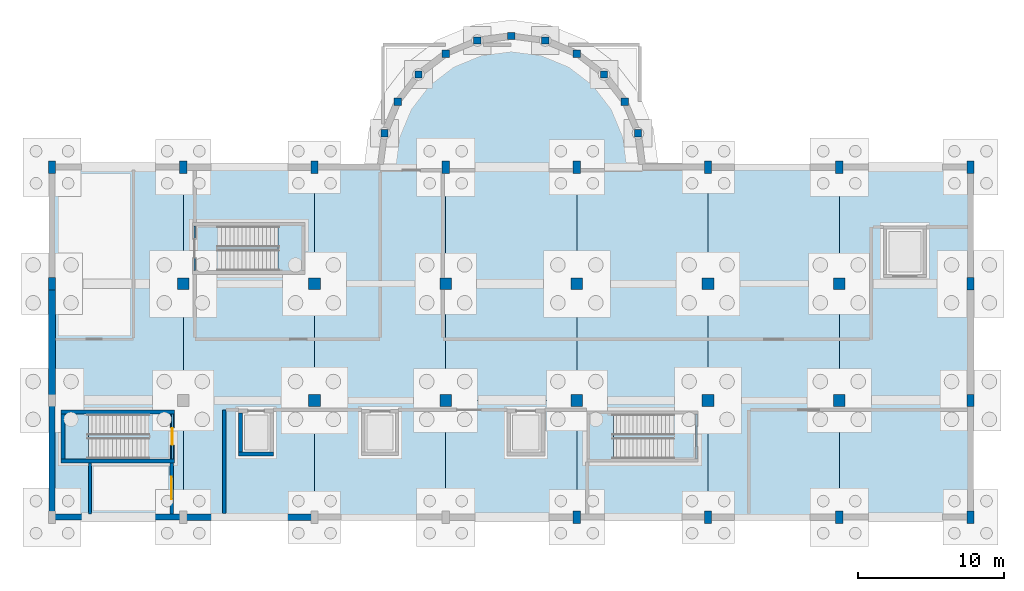
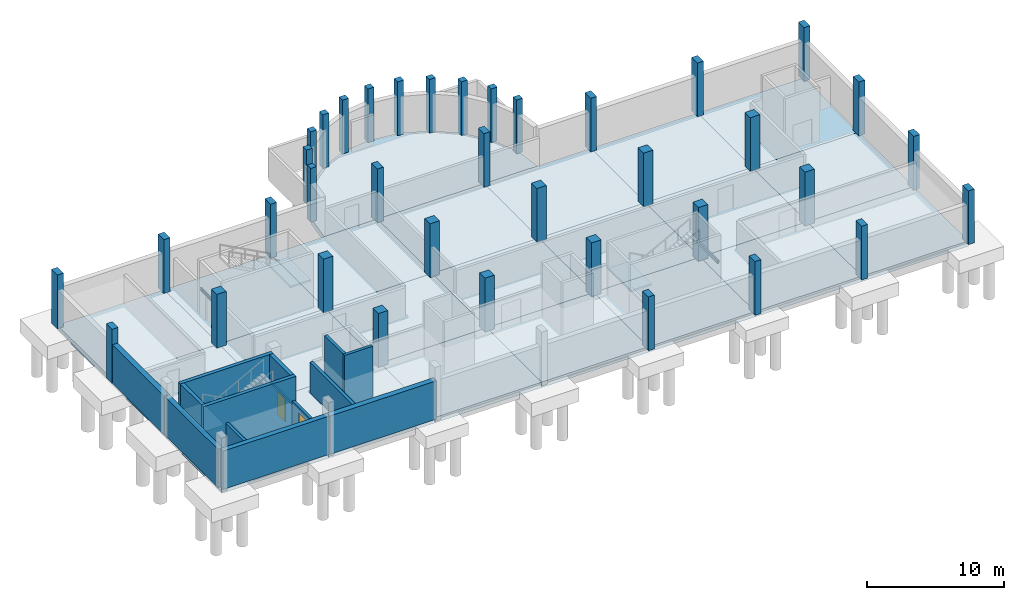
# One storey, part 3 of 10: 37 columns, 25 slabs, 13 walls, 3 beams, 2 doors, 2 openings, 3 elements without a shape of their own.
"""IFC4 building model written with IfcOpenShell, lengths in metres."""

from ifc_helpers import new_model, si_unit, direction, frame, frame_2d, origin, origin_2d, place, context, subcontext, project, spatial, polyline, rectangle, hollow_rectangle, i_section, outline, extrude, material, layer, layer_set, material_profile, profile_set, type_object, element, fill, aggregate, save


model = new_model("IFC4")

# Units and contexts
model_context = context("Model", 3, precision=1e-05, world=origin(), true_north=direction((0.0, 1.0)))
body_context = subcontext(model_context, "Body", "Model", "MODEL_VIEW")
ifc_project = project(units=[si_unit("LENGTHUNIT", "METRE"), si_unit("AREAUNIT", "SQUARE_METRE"), si_unit("VOLUMEUNIT", "CUBIC_METRE"), si_unit("PLANEANGLEUNIT", "RADIAN"), si_unit("MASSUNIT", "GRAM", prefix="KILO")], contexts=[model_context])

# Site, building, storey
site_placement = place(None, origin())
site = spatial("IfcSite", under=ifc_project, at=site_placement, CompositionType="ELEMENT")
building_placement = place(site_placement, origin())
building = spatial("IfcBuilding", under=site, at=building_placement, Name="Serraforn Aerial Cableway Station", CompositionType="ELEMENT")
storey_placement = place(building_placement, frame((0.0, 0.0, -4.800048828125)))
storey = spatial("IfcBuildingStorey", under=building, at=storey_placement, Name="B1", CompositionType="ELEMENT", Elevation=-4.800048828125)

# Columns
ifc_material_1 = material(Name="Concrete C35/45", Category="concrete")
ifc_material_profile_1 = material_profile(ifc_material_1, rectangle(XDim=0.5, YDim=0.5, at=origin_2d()), Name="RC 500x500")
ifc_profile_set_1 = profile_set([ifc_material_profile_1], Name="Concrete C35/45")
column_type_1 = type_object("IfcColumnType", Name="COL-RC-500E", PredefinedType="COLUMN", material=ifc_profile_set_1)
for number, where, z_axis, x_axis, name in (
    (1, (50.40673828125, 44.329345703125, 0.0), (0.0, 0.0, 1.0), (1.0, 0.0, 0.0), "Apse Radial Column B1-1"),
    (2, (51.305908203125, 46.5, 0.0), (0.0, 0.0, 1.0), (1.0, 0.0, 0.0), "Apse Radial Column B1-2"),
    (3, (52.736083984375, 48.364013671875, 0.0), (0.0, 0.0, 1.0), (1.0, 0.0, 0.0), "Apse Radial Column B1-3"),
    (4, (54.60009765625, 49.794189453125, 0.0), (0.0, 0.0, 1.0), (1.0, 0.0, 0.0), "Apse Radial Column B1-4"),
    (5, (56.7705078125, 50.693359375, 0.0), (0.0, 0.0, 1.0), (1.0, 0.0, 0.0), "Apse Radial Column B1-5"),
    (6, (59.10009765625, 51.0, 0.0), (0.0, 0.0, 1.0), (1.0, 0.0, 0.0), "Apse Radial Column B1-6"),
    (7, (61.429443359375, 50.693359375, 0.0), (0.0, 0.0, 1.0), (1.0, 0.0, 0.0), "Apse Radial Column B1-7"),
    (8, (63.60009765625, 49.794189453125, 0.0), (0.0, 0.0, 1.0), (1.0, 0.0, 0.0), "Apse Radial Column B1-8"),
    (9, (65.464111328125, 48.364013671875, 0.0), (0.0, 0.0, 1.0), (1.0, 0.0, 0.0), "Apse Radial Column B1-9"),
    (10, (66.894287109375, 46.5, 0.0), (0.0, 0.0, 1.0), (1.0, 0.0, 0.0), "Apse Radial Column B1-10"),
    (11, (67.793212890625, 44.329345703125, 0.0), (0.0, 0.0, 1.0), (1.0, 0.0, 0.0), "Apse Radial Column B1-11"),
):
    element("IfcColumn", number, at=place(storey_placement, frame(where, z_axis=z_axis, x_axis=x_axis)), inside=storey, type_object=column_type_1, Name=name, PredefinedType="COLUMN", context=body_context, shape_type="SweptSolid", body=[
        extrude(rectangle(XDim=0.5, YDim=0.5, at=origin_2d()), origin(), (0.0, 0.0, 1.0), 4.800048828125),
    ])
ifc_material_2 = material(Name="Concrete C40/50", Category="concrete")
ifc_material_profile_2 = material_profile(ifc_material_2, rectangle(XDim=0.5, YDim=0.85009765625, at=origin_2d()), Name="RC 500x850")
ifc_profile_set_2 = profile_set([ifc_material_profile_2], Name="Concrete C40/50")
column_type_2 = type_object("IfcColumnType", Name="COL-RC-500x850", PredefinedType="COLUMN", material=ifc_profile_set_2)
for number, where, z_axis, x_axis, name in (
    (12, (27.60009765625, 34.0, 0.0), (0.0, 0.0, 1.0), (1.0, 0.0, 0.0), "Column CV B1 5-D2"),
    (13, (27.60009765625, 42.0, 0.0), (0.0, 0.0, 1.0), (1.0, 0.0, 0.0), "Column CV B1 5-F"),
    (14, (36.60009765625, 42.0, 0.0), (0.0, 0.0, 1.0), (1.0, 0.0, 0.0), "Column CV B1 6-F"),
    (15, (45.60009765625, 42.0, 0.0), (0.0, 0.0, 1.0), (1.0, 0.0, 0.0), "Column CV B1 7-F"),
    (16, (54.60009765625, 42.0, 0.0), (0.0, 0.0, 1.0), (1.0, 0.0, 0.0), "Column CV B1 8-F"),
    (17, (63.60009765625, 18.0, 0.0), (0.0, 0.0, 1.0), (1.0, 0.0, 0.0), "Column CV B1 9-C"),
    (18, (63.60009765625, 42.0, 0.0), (0.0, 0.0, 1.0), (1.0, 0.0, 0.0), "Column CV B1 9-F"),
    (19, (72.60009765625, 18.0, 0.0), (0.0, 0.0, 1.0), (1.0, 0.0, 0.0), "Column CV B1 10-C"),
    (20, (72.60009765625, 42.0, 0.0), (0.0, 0.0, 1.0), (1.0, 0.0, 0.0), "Column CV B1 10-F"),
    (21, (81.60009765625, 18.0, 0.0), (0.0, 0.0, 1.0), (1.0, 0.0, 0.0), "Column CV B1 11-C"),
    (22, (81.60009765625, 42.0, 0.0), (0.0, 0.0, 1.0), (1.0, 0.0, 0.0), "Column CV B1 11-F"),
    (23, (90.60009765625, 18.0, 0.0), (0.0, 0.0, 1.0), (1.0, 0.0, 0.0), "Column CV B1 12-C"),
    (24, (90.60009765625, 26.0, 0.0), (0.0, 0.0, 1.0), (1.0, 0.0, 0.0), "Column CV B1 12-D1"),
    (25, (90.60009765625, 34.0, 0.0), (0.0, 0.0, 1.0), (1.0, 0.0, 0.0), "Column CV B1 12-D2"),
    (26, (90.60009765625, 42.0, 0.0), (0.0, 0.0, 1.0), (1.0, 0.0, 0.0), "Column CV B1 12-F"),
):
    element("IfcColumn", number, at=place(storey_placement, frame(where, z_axis=z_axis, x_axis=x_axis)), inside=storey, type_object=column_type_2, Name=name, PredefinedType="COLUMN", context=body_context, shape_type="SweptSolid", body=[
        extrude(rectangle(XDim=0.5, YDim=0.85009765625, at=origin_2d()), origin(), (0.0, 0.0, 1.0), 4.800048828125),
    ])
ifc_material_profile_3 = material_profile(ifc_material_2, rectangle(XDim=0.800048828125, YDim=0.800048828125, at=origin_2d()), Name="RC 800x800")
ifc_profile_set_3 = profile_set([ifc_material_profile_3], Name="Concrete C40/50")
column_type_3 = type_object("IfcColumnType", Name="COL-RC-800", PredefinedType="COLUMN", material=ifc_profile_set_3)
for number, where, z_axis, x_axis, name in (
    (27, (36.60009765625, 34.0, 0.0), (0.0, 0.0, 1.0), (1.0, 0.0, 0.0), "Column CV B1 6-D2"),
    (28, (45.60009765625, 26.0, 0.0), (0.0, 0.0, 1.0), (1.0, 0.0, 0.0), "Column CV B1 7-D1"),
    (29, (45.60009765625, 34.0, 0.0), (0.0, 0.0, 1.0), (1.0, 0.0, 0.0), "Column CV B1 7-D2"),
    (30, (54.60009765625, 26.0, 0.0), (0.0, 0.0, 1.0), (1.0, 0.0, 0.0), "Column CV B1 8-D1"),
    (31, (54.60009765625, 34.0, 0.0), (0.0, 0.0, 1.0), (1.0, 0.0, 0.0), "Column CV B1 8-D2"),
    (32, (63.60009765625, 26.0, 0.0), (0.0, 0.0, 1.0), (1.0, 0.0, 0.0), "Column CV B1 9-D1"),
    (33, (63.60009765625, 34.0, 0.0), (0.0, 0.0, 1.0), (1.0, 0.0, 0.0), "Column CV B1 9-D2"),
    (34, (72.60009765625, 26.0, 0.0), (0.0, 0.0, 1.0), (1.0, 0.0, 0.0), "Column CV B1 10-D1"),
    (35, (72.60009765625, 34.0, 0.0), (0.0, 0.0, 1.0), (1.0, 0.0, 0.0), "Column CV B1 10-D2"),
    (36, (81.60009765625, 26.0, 0.0), (0.0, 0.0, 1.0), (1.0, 0.0, 0.0), "Column CV B1 11-D1"),
    (37, (81.60009765625, 34.0, 0.0), (0.0, 0.0, 1.0), (1.0, 0.0, 0.0), "Column CV B1 11-D2"),
):
    element("IfcColumn", number, at=place(storey_placement, frame(where, z_axis=z_axis, x_axis=x_axis)), inside=storey, type_object=column_type_3, Name=name, PredefinedType="COLUMN", context=body_context, shape_type="SweptSolid", body=[
        extrude(rectangle(XDim=0.800048828125, YDim=0.800048828125, at=origin_2d()), origin(), (0.0, 0.0, 1.0), 4.800048828125),
    ])

# Beams
ifc_material_3 = material(Name="Steel S355JR", Category="steel")
ifc_material_profile_4 = material_profile(ifc_material_3, i_section(OverallWidth=0.10009765625, OverallDepth=0.199951171875, WebThickness=0.005615234375, FlangeThickness=0.008544921875, FilletRadius=0.011962890625, at=origin_2d()), Name="IPE 200")
ifc_profile_set_4 = profile_set([ifc_material_profile_4], Name="Steel S355JR")
beam_type_1 = type_object("IfcBeamType", Name="BM-ST-IPE200", PredefinedType="LINTEL", material=ifc_profile_set_4)
beam_placement = place(storey_placement, frame((37.375, 34.89990234375, 2.275146484375), z_axis=(0.0, 1.0, 0.0), x_axis=(-1.0, 0.0, 0.0)))
element("IfcBeam", 38, at=beam_placement, inside=storey, type_object=beam_type_1, Name="Stair Core Door Lintel D-S17", PredefinedType="LINTEL", context=body_context, shape_type="SweptSolid", body=[
    extrude(i_section(OverallWidth=0.10009765625, OverallDepth=0.199951171875, WebThickness=0.005615234375, FlangeThickness=0.008544921875, FilletRadius=0.011962890625, at=origin_2d()), origin(), (0.0, 0.0, 1.0), 3.06005859375),
])
ifc_material_4 = material(Name="Steel S355J2", Category="steel")
ifc_material_profile_5 = material_profile(ifc_material_4, hollow_rectangle(XDim=0.14990234375, YDim=0.25, WallThickness=0.010009765625, InnerFilletRadius=0.010009765625, OuterFilletRadius=0.02001953125, at=origin_2d()), Name="RHS 250x150x10.0")
ifc_profile_set_5 = profile_set([ifc_material_profile_5], Name="Steel S355J2")
beam_type_2 = type_object("IfcBeamType", Name="BM-ST-RHS250", PredefinedType="LINTEL", material=ifc_profile_set_5)
for number, where, z_axis, x_axis, name in (
    (39, (35.85009765625, 25.06005859375, 2.275146484375), (0.0, -1.0, 0.0), (1.0, 0.0, 0.0), "Stair Core Door Lintel D-S12"),
    (40, (71.81005859375, 25.06005859375, 2.275146484375), (0.0, -1.0, 0.0), (1.0, 0.0, 0.0), "Stair Core Door Lintel D-S22"),
):
    element("IfcBeam", number, at=place(storey_placement, frame(where, z_axis=z_axis, x_axis=x_axis)), inside=storey, type_object=beam_type_2, Name=name, PredefinedType="LINTEL", context=body_context, shape_type="SweptSolid", body=[
        extrude(hollow_rectangle(XDim=0.14990234375, YDim=0.25, WallThickness=0.010009765625, InnerFilletRadius=0.010009765625, OuterFilletRadius=0.02001953125, at=origin_2d()), origin(), (0.0, 0.0, 1.0), 3.06005859375),
    ])

# Slabs
ifc_layer_1 = layer(ifc_material_2, 0.47998046875)
ifc_layer_set_1 = layer_set([ifc_layer_1], Name="Concrete C40/50")
slab_type_1 = type_object("IfcSlabType", Name="SLB-BASE-480", PredefinedType="BASESLAB", material=ifc_layer_set_1)
slab_1_placement = place(storey_placement, frame((0.0, 0.0, -0.47998046875)))
element("IfcSlab", 41, at=slab_1_placement, inside=storey, type_object=slab_type_1, Name="Floor Slab CV-B1-1-1", PredefinedType="BASESLAB", context=body_context, shape_type="SweptSolid", body=[
    extrude(outline(polyline([(27.60009765625, 18.0), (36.60009765625, 18.0), (36.60009765625, 26.0), (27.60009765625, 26.0), (27.60009765625, 18.0)])), origin(), (0.0, 0.0, 1.0), 0.47998046875),
])
slab_2_placement = place(storey_placement, frame((0.0, 0.0, -0.47998046875)))
element("IfcSlab", 42, at=slab_2_placement, inside=storey, type_object=slab_type_1, Name="Floor Slab CV-B1-1-2", PredefinedType="BASESLAB", context=body_context, shape_type="SweptSolid", body=[
    extrude(outline(polyline([(27.60009765625, 26.0), (36.60009765625, 26.0), (36.60009765625, 34.0), (27.60009765625, 34.0), (27.60009765625, 26.0)])), origin(), (0.0, 0.0, 1.0), 0.47998046875),
])
slab_3_placement = place(storey_placement, frame((0.0, 0.0, -0.47998046875)))
element("IfcSlab", 43, at=slab_3_placement, inside=storey, type_object=slab_type_1, Name="Floor Slab CV-B1-1-3", PredefinedType="BASESLAB", context=body_context, shape_type="SweptSolid", body=[
    extrude(outline(polyline([(27.60009765625, 34.0), (36.60009765625, 34.0), (36.60009765625, 42.0), (27.60009765625, 42.0), (27.60009765625, 34.0)])), origin(), (0.0, 0.0, 1.0), 0.47998046875),
])
slab_4_placement = place(storey_placement, frame((0.0, 0.0, -0.47998046875)))
element("IfcSlab", 44, at=slab_4_placement, inside=storey, type_object=slab_type_1, Name="Floor Slab CV-B1-2-1", PredefinedType="BASESLAB", context=body_context, shape_type="SweptSolid", body=[
    extrude(outline(polyline([(36.60009765625, 18.0), (45.60009765625, 18.0), (45.60009765625, 26.0), (36.60009765625, 26.0), (36.60009765625, 18.0)])), origin(), (0.0, 0.0, 1.0), 0.47998046875),
])
slab_5_placement = place(storey_placement, frame((0.0, 0.0, -0.47998046875)))
element("IfcSlab", 45, at=slab_5_placement, inside=storey, type_object=slab_type_1, Name="Floor Slab CV-B1-2-2", PredefinedType="BASESLAB", context=body_context, shape_type="SweptSolid", body=[
    extrude(outline(polyline([(36.60009765625, 26.0), (45.60009765625, 26.0), (45.60009765625, 34.0), (36.60009765625, 34.0), (36.60009765625, 26.0)])), origin(), (0.0, 0.0, 1.0), 0.47998046875),
])
slab_6_placement = place(storey_placement, frame((0.0, 0.0, -0.47998046875)))
element("IfcSlab", 46, at=slab_6_placement, inside=storey, type_object=slab_type_1, Name="Floor Slab CV-B1-2-3", PredefinedType="BASESLAB", context=body_context, shape_type="SweptSolid", body=[
    extrude(outline(polyline([(36.60009765625, 34.0), (45.60009765625, 34.0), (45.60009765625, 42.0), (36.60009765625, 42.0), (36.60009765625, 34.0)])), origin(), (0.0, 0.0, 1.0), 0.47998046875),
])
slab_7_placement = place(storey_placement, frame((0.0, 0.0, -0.47998046875)))
element("IfcSlab", 47, at=slab_7_placement, inside=storey, type_object=slab_type_1, Name="Floor Slab CV-B1-3-1", PredefinedType="BASESLAB", context=body_context, shape_type="SweptSolid", body=[
    extrude(outline(polyline([(45.60009765625, 18.0), (54.60009765625, 18.0), (54.60009765625, 26.0), (45.60009765625, 26.0), (45.60009765625, 18.0)])), origin(), (0.0, 0.0, 1.0), 0.47998046875),
])
slab_8_placement = place(storey_placement, frame((0.0, 0.0, -0.47998046875)))
element("IfcSlab", 48, at=slab_8_placement, inside=storey, type_object=slab_type_1, Name="Floor Slab CV-B1-3-2", PredefinedType="BASESLAB", context=body_context, shape_type="SweptSolid", body=[
    extrude(outline(polyline([(45.60009765625, 26.0), (54.60009765625, 26.0), (54.60009765625, 34.0), (45.60009765625, 34.0), (45.60009765625, 26.0)])), origin(), (0.0, 0.0, 1.0), 0.47998046875),
])
slab_9_placement = place(storey_placement, frame((0.0, 0.0, -0.47998046875)))
element("IfcSlab", 49, at=slab_9_placement, inside=storey, type_object=slab_type_1, Name="Floor Slab CV-B1-3-3", PredefinedType="BASESLAB", context=body_context, shape_type="SweptSolid", body=[
    extrude(outline(polyline([(45.60009765625, 34.0), (54.60009765625, 34.0), (54.60009765625, 42.0), (45.60009765625, 42.0), (45.60009765625, 34.0)])), origin(), (0.0, 0.0, 1.0), 0.47998046875),
])
slab_10_placement = place(storey_placement, frame((0.0, 0.0, -0.47998046875)))
element("IfcSlab", 50, at=slab_10_placement, inside=storey, type_object=slab_type_1, Name="Floor Slab CV-B1-4-1", PredefinedType="BASESLAB", context=body_context, shape_type="SweptSolid", body=[
    extrude(outline(polyline([(54.60009765625, 18.0), (63.60009765625, 18.0), (63.60009765625, 26.0), (54.60009765625, 26.0), (54.60009765625, 18.0)])), origin(), (0.0, 0.0, 1.0), 0.47998046875),
])
slab_11_placement = place(storey_placement, frame((0.0, 0.0, -0.47998046875)))
element("IfcSlab", 51, at=slab_11_placement, inside=storey, type_object=slab_type_1, Name="Floor Slab CV-B1-4-2", PredefinedType="BASESLAB", context=body_context, shape_type="SweptSolid", body=[
    extrude(outline(polyline([(54.60009765625, 26.0), (63.60009765625, 26.0), (63.60009765625, 34.0), (54.60009765625, 34.0), (54.60009765625, 26.0)])), origin(), (0.0, 0.0, 1.0), 0.47998046875),
])
slab_12_placement = place(storey_placement, frame((0.0, 0.0, -0.47998046875)))
element("IfcSlab", 52, at=slab_12_placement, inside=storey, type_object=slab_type_1, Name="Floor Slab CV-B1-4-3", PredefinedType="BASESLAB", context=body_context, shape_type="SweptSolid", body=[
    extrude(outline(polyline([(54.60009765625, 34.0), (63.60009765625, 34.0), (63.60009765625, 42.0), (54.60009765625, 42.0), (54.60009765625, 34.0)])), origin(), (0.0, 0.0, 1.0), 0.47998046875),
])
slab_13_placement = place(storey_placement, frame((0.0, 0.0, -0.47998046875)))
element("IfcSlab", 53, at=slab_13_placement, inside=storey, type_object=slab_type_1, Name="Floor Slab CV-B1-5-1", PredefinedType="BASESLAB", context=body_context, shape_type="SweptSolid", body=[
    extrude(outline(polyline([(63.60009765625, 18.0), (72.60009765625, 18.0), (72.60009765625, 26.0), (63.60009765625, 26.0), (63.60009765625, 18.0)])), origin(), (0.0, 0.0, 1.0), 0.47998046875),
])
slab_14_placement = place(storey_placement, frame((0.0, 0.0, -0.47998046875)))
element("IfcSlab", 54, at=slab_14_placement, inside=storey, type_object=slab_type_1, Name="Floor Slab CV-B1-5-2", PredefinedType="BASESLAB", context=body_context, shape_type="SweptSolid", body=[
    extrude(outline(polyline([(63.60009765625, 26.0), (72.60009765625, 26.0), (72.60009765625, 34.0), (63.60009765625, 34.0), (63.60009765625, 26.0)])), origin(), (0.0, 0.0, 1.0), 0.47998046875),
])
slab_15_placement = place(storey_placement, frame((0.0, 0.0, -0.47998046875)))
element("IfcSlab", 55, at=slab_15_placement, inside=storey, type_object=slab_type_1, Name="Floor Slab CV-B1-5-3", PredefinedType="BASESLAB", context=body_context, shape_type="SweptSolid", body=[
    extrude(outline(polyline([(63.60009765625, 34.0), (72.60009765625, 34.0), (72.60009765625, 42.0), (63.60009765625, 42.0), (63.60009765625, 34.0)])), origin(), (0.0, 0.0, 1.0), 0.47998046875),
])
slab_16_placement = place(storey_placement, frame((0.0, 0.0, -0.47998046875)))
element("IfcSlab", 56, at=slab_16_placement, inside=storey, type_object=slab_type_1, Name="Floor Slab CV-B1-6-1", PredefinedType="BASESLAB", context=body_context, shape_type="SweptSolid", body=[
    extrude(outline(polyline([(72.60009765625, 18.0), (81.60009765625, 18.0), (81.60009765625, 26.0), (72.60009765625, 26.0), (72.60009765625, 18.0)])), origin(), (0.0, 0.0, 1.0), 0.47998046875),
])
slab_17_placement = place(storey_placement, frame((0.0, 0.0, -0.47998046875)))
element("IfcSlab", 57, at=slab_17_placement, inside=storey, type_object=slab_type_1, Name="Floor Slab CV-B1-6-2", PredefinedType="BASESLAB", context=body_context, shape_type="SweptSolid", body=[
    extrude(outline(polyline([(72.60009765625, 26.0), (81.60009765625, 26.0), (81.60009765625, 34.0), (72.60009765625, 34.0), (72.60009765625, 26.0)])), origin(), (0.0, 0.0, 1.0), 0.47998046875),
])
slab_18_placement = place(storey_placement, frame((0.0, 0.0, -0.47998046875)))
element("IfcSlab", 58, at=slab_18_placement, inside=storey, type_object=slab_type_1, Name="Floor Slab CV-B1-6-3", PredefinedType="BASESLAB", context=body_context, shape_type="SweptSolid", body=[
    extrude(outline(polyline([(72.60009765625, 34.0), (81.60009765625, 34.0), (81.60009765625, 42.0), (72.60009765625, 42.0), (72.60009765625, 34.0)])), origin(), (0.0, 0.0, 1.0), 0.47998046875),
])
slab_19_placement = place(storey_placement, frame((0.0, 0.0, -0.47998046875)))
element("IfcSlab", 59, at=slab_19_placement, inside=storey, type_object=slab_type_1, Name="Floor Slab CV-B1-7-1", PredefinedType="BASESLAB", context=body_context, shape_type="SweptSolid", body=[
    extrude(outline(polyline([(81.60009765625, 18.0), (90.60009765625, 18.0), (90.60009765625, 26.0), (81.60009765625, 26.0), (81.60009765625, 18.0)])), origin(), (0.0, 0.0, 1.0), 0.47998046875),
])
slab_20_placement = place(storey_placement, frame((0.0, 0.0, -0.47998046875)))
element("IfcSlab", 60, at=slab_20_placement, inside=storey, type_object=slab_type_1, Name="Floor Slab CV-B1-7-2", PredefinedType="BASESLAB", context=body_context, shape_type="SweptSolid", body=[
    extrude(outline(polyline([(81.60009765625, 26.0), (90.60009765625, 26.0), (90.60009765625, 34.0), (81.60009765625, 34.0), (81.60009765625, 26.0)])), origin(), (0.0, 0.0, 1.0), 0.47998046875),
])
slab_21_placement = place(storey_placement, frame((0.0, 0.0, -0.47998046875)))
element("IfcSlab", 61, at=slab_21_placement, inside=storey, type_object=slab_type_1, Name="Floor Slab CV-B1-7-3", PredefinedType="BASESLAB", context=body_context, shape_type="SweptSolid", body=[
    extrude(outline(polyline([(81.60009765625, 34.0), (90.60009765625, 34.0), (90.60009765625, 42.0), (81.60009765625, 42.0), (81.60009765625, 34.0)])), origin(), (0.0, 0.0, 1.0), 0.47998046875),
])
slab_22_placement = place(storey_placement, frame((0.0, 0.0, -0.47998046875)))
element("IfcSlab", 62, at=slab_22_placement, inside=storey, type_object=slab_type_1, Name="Bullwheel Apse Slab B1", PredefinedType="BASESLAB", context=body_context, shape_type="SweptSolid", body=[
    extrude(outline(polyline([(50.10009765625, 42.0), (50.10009765625, 42.0), (50.40673828125, 44.329345703125), (51.305908203125, 46.5), (52.736083984375, 48.364013671875), (54.60009765625, 49.794189453125), (56.7705078125, 50.693359375), (59.10009765625, 51.0), (61.429443359375, 50.693359375), (63.60009765625, 49.794189453125), (65.464111328125, 48.364013671875), (66.894287109375, 46.5), (67.793212890625, 44.329345703125), (68.10009765625, 42.0), (68.10009765625, 42.0), (50.10009765625, 42.0)])), origin(), (0.0, 0.0, 1.0), 0.47998046875),
])

# Stair, slab
stair_type_1 = type_object("IfcStairType", Name="STR-DL-1", PredefinedType="HALF_TURN_STAIR", material=ifc_material_1)
stair_1_placement = place(storey_placement, origin())
stair_1 = element("IfcStair", 63, at=stair_1_placement, inside=storey, type_object=stair_type_1, Name="B1 Vault West Protected Exit Stair 3", PredefinedType="HALF_TURN_STAIR")
ifc_layer_2 = layer(ifc_material_1, 0.159912109375)
ifc_layer_set_2 = layer_set([ifc_layer_2], Name="Concrete C35/45")
slab_type_2 = type_object("IfcSlabType", Name="SLB-LND-160", PredefinedType="LANDING", material=ifc_layer_set_2)
slab_23_placement = place(storey_placement, frame((0.0, 0.0, 2.239990234375)))
slab_23 = element("IfcSlab", 64, at=slab_23_placement, type_object=slab_type_2, Name="ST-03 landing 1", PredefinedType="LANDING", context=body_context, shape_type="SweptSolid", body=[
    extrude(outline(polyline([(30.10009765625, 25.179931640625), (28.3798828125, 25.179931640625), (28.3798828125, 21.8798828125), (30.10009765625, 21.8798828125), (30.10009765625, 25.179931640625)])), origin(), (0.0, 0.0, 1.0), 0.16015625),
])
aggregate(stair_1, [slab_23])

stair_type_2 = type_object("IfcStairType", Name="STR-DL-2", PredefinedType="HALF_TURN_STAIR", material=ifc_material_1)
stair_2_placement = place(storey_placement, origin())
stair_2 = element("IfcStair", 65, at=stair_2_placement, inside=storey, type_object=stair_type_2, Name="B1 Vault Central West Exit Stair 4", PredefinedType="HALF_TURN_STAIR")
slab_24_placement = place(storey_placement, frame((0.0, 0.0, 2.239990234375)))
slab_24 = element("IfcSlab", 66, at=slab_24_placement, type_object=slab_type_2, Name="ST-04 landing 1", PredefinedType="LANDING", context=body_context, shape_type="SweptSolid", body=[
    extrude(outline(polyline([(43.10009765625, 34.780029296875), (44.820068359375, 34.780029296875), (44.820068359375, 38.080078125), (43.10009765625, 38.080078125), (43.10009765625, 34.780029296875)])), origin(), (0.0, 0.0, 1.0), 0.16015625),
])
aggregate(stair_2, [slab_24])

stair_type_3 = type_object("IfcStairType", Name="STR-DL-3", PredefinedType="HALF_TURN_STAIR", material=ifc_material_1)
stair_3_placement = place(storey_placement, origin())
stair_3 = element("IfcStair", 67, at=stair_3_placement, inside=storey, type_object=stair_type_3, Name="B1 Vault Central East Exit Stair 5", PredefinedType="HALF_TURN_STAIR")
slab_25_placement = place(storey_placement, frame((0.0, 0.0, 2.239990234375)))
slab_25 = element("IfcSlab", 68, at=slab_25_placement, type_object=slab_type_2, Name="ST-05 landing 1", PredefinedType="LANDING", context=body_context, shape_type="SweptSolid", body=[
    extrude(outline(polyline([(66.10009765625, 25.179931640625), (64.3798828125, 25.179931640625), (64.3798828125, 21.8798828125), (66.10009765625, 21.8798828125), (66.10009765625, 25.179931640625)])), origin(), (0.0, 0.0, 1.0), 0.16015625),
])
aggregate(stair_3, [slab_25])

# Walls
ifc_layer_3 = layer(ifc_material_1, 0.25)
ifc_layer_set_3 = layer_set([ifc_layer_3], Name="Concrete C35/45")
wall_type_1 = type_object("IfcWallType", Name="WL-COR-250", PredefinedType="SHEAR", material=ifc_layer_set_3)
wall_1_placement = place(storey_placement, frame((40.39990234375, 22.324951171875, 0.0), z_axis=(0.0, 0.0, 1.0), x_axis=(1.0, 0.0, 0.0)))
element("IfcWall", 69, at=wall_1_placement, inside=storey, type_object=wall_type_1, Name="Lift Shaft Shear Wall WLFT-LF-02-B1-S", PredefinedType="SHEAR", context=body_context, shape_type="SweptSolid", body=[
    extrude(rectangle(XDim=2.400146484375, YDim=0.25, at=frame_2d((1.2001953125, 0.0))), origin(), (0.0, 0.0, 1.0), 4.800048828125),
])
wall_2_placement = place(storey_placement, frame((40.52490234375, 22.449951171875, 0.0), z_axis=(0.0, 0.0, 1.0), x_axis=(0.0, 1.0, 0.0)))
element("IfcWall", 70, at=wall_2_placement, inside=storey, type_object=wall_type_1, Name="Lift Shaft Shear Wall WLFT-LF-02-B1-W", PredefinedType="SHEAR", context=body_context, shape_type="SweptSolid", body=[
    extrude(rectangle(XDim=2.699951171875, YDim=0.25, at=frame_2d((1.35009765625, 0.0))), origin(), (0.0, 0.0, 1.0), 4.800048828125),
])

# Wall, opening, door
ifc_layer_4 = layer(ifc_material_1, 0.300048828125)
ifc_layer_set_4 = layer_set([ifc_layer_4], Name="Concrete C35/45")
wall_type_2 = type_object("IfcWallType", Name="WL-COR-300", PredefinedType="SHEAR", material=ifc_layer_set_4)
wall_3_placement = place(storey_placement, frame((35.85009765625, 25.06005859375, 0.0), z_axis=(0.0, 0.0, 1.0), x_axis=(0.0, -1.0, 0.0)))
wall_3 = element("IfcWall", 71, at=wall_3_placement, inside=storey, type_object=wall_type_2, Name="Stair Core Shear Wall WCOR-ST-03-B1-NEAR", PredefinedType="SHEAR", context=body_context, shape_type="SweptSolid", body=[
    extrude(rectangle(XDim=3.06005859375, YDim=0.300048828125, at=frame_2d((1.530029296875, 0.0))), origin(), (0.0, 0.0, 1.0), 4.800048828125),
])
opening_1_placement = place(wall_3_placement, frame((0.955078125, 0.0, 0.0)))
opening_1 = element("IfcOpeningElement", 72, at=opening_1_placement, cuts=wall_3, Name="Opening D-S12", PredefinedType="OPENING", context=body_context, shape_type="SweptSolid", body=[
    extrude(rectangle(XDim=1.14990234375, YDim=2.14990234375, at=frame_2d((0.574951171875, 1.074951171875))), frame((0.0, 0.159912109375, 0.0), z_axis=(0.0, -1.0, 0.0), x_axis=(1.0, 0.0, 0.0)), (0.0, 0.0, 1.0), 0.320068359375),
])
ifc_material_5 = material(Name="Self-closing steel stair fire door", Category="steel")
door_type_1 = type_object("IfcDoorType", Name="DR-STAIR-115", OperationType="NOTDEFINED", PredefinedType="DOOR", material=ifc_material_5)
door_1_placement = place(opening_1_placement, origin())
door_1 = element("IfcDoor", 73, at=door_1_placement, inside=storey, type_object=door_type_1, Name="Protected Stair Door D-S12", OperationType="SINGLE_SWING_RIGHT", OverallHeight=2.14990234375, OverallWidth=1.14990234375, PredefinedType="DOOR", context=body_context, shape_type="SweptSolid", body=[
    extrude(rectangle(XDim=1.14990234375, YDim=2.14990234375, at=frame_2d((0.574951171875, 1.074951171875))), frame((0.0, 0.02490234375, 0.0), z_axis=(0.0, -1.0, 0.0), x_axis=(1.0, 0.0, 0.0)), (0.0, 0.0, 1.0), 0.050048828125),
])
fill(opening_1, door_1)

# Walls
wall_4_placement = place(storey_placement, frame((28.35009765625, 25.06005859375, 0.0), z_axis=(0.0, 0.0, 1.0), x_axis=(0.0, -1.0, 0.0)))
element("IfcWall", 74, at=wall_4_placement, inside=storey, type_object=wall_type_2, Name="Stair Core Shear Wall WCOR-ST-03-B1-FAR", PredefinedType="SHEAR", context=body_context, shape_type="SweptSolid", body=[
    extrude(rectangle(XDim=3.06005859375, YDim=0.300048828125, at=frame_2d((1.530029296875, 0.0))), origin(), (0.0, 0.0, 1.0), 4.800048828125),
])
for number, where, z_axis, x_axis, name in (
    (75, (36.0, 25.2099609375, 0.0), (0.0, 0.0, 1.0), (-1.0, 0.0, 0.0), "Stair Core Shear Wall WCOR-ST-03-B1-L"),
    (76, (36.0, 21.85009765625, 0.0), (0.0, 0.0, 1.0), (-1.0, 0.0, 0.0), "Stair Core Shear Wall WCOR-ST-03-B1-R"),
):
    element("IfcWall", number, at=place(storey_placement, frame(where, z_axis=z_axis, x_axis=x_axis)), inside=storey, type_object=wall_type_2, Name=name, PredefinedType="SHEAR", context=body_context, shape_type="SweptSolid", body=[
        extrude(rectangle(XDim=7.800048828125, YDim=0.300048828125, at=frame_2d((3.89990234375, 0.0))), origin(), (0.0, 0.0, 1.0), 4.800048828125),
    ])
ifc_material_6 = material(Name="Concrete C30/37", Category="concrete")
ifc_layer_5 = layer(ifc_material_6, 0.241943359375)
ifc_layer_set_5 = layer_set([ifc_layer_5], Name="Concrete C30/37")
wall_type_3 = type_object("IfcWallType", Name="WL-FIR-242", PredefinedType="SOLIDWALL", material=ifc_layer_set_5)
wall_5_placement = place(storey_placement, frame((39.39990234375, 18.23095703125, 0.0), z_axis=(0.0, 0.0, 1.0), x_axis=(0.0, 1.0, 0.0)))
element("IfcWall", 77, at=wall_5_placement, inside=storey, type_object=wall_type_3, Name="Interior Partition WPRT-B1-03-22", PredefinedType="SOLIDWALL", context=body_context, shape_type="SweptSolid", body=[
    extrude(rectangle(XDim=7.119140625, YDim=0.241943359375, at=frame_2d((3.5595703125, 0.0))), origin(), (0.0, 0.0, 1.0), 2.699951171875),
])
ifc_material_7 = material(Name="Sanitary service chase partition")
ifc_layer_6 = layer(ifc_material_7, 0.22802734375)
ifc_layer_set_6 = layer_set([ifc_layer_6], Name="Sanitary service chase partition")
wall_type_4 = type_object("IfcWallType", Name="WL-PLM-228", PredefinedType="PLUMBINGWALL", material=ifc_layer_set_6)
wall_6_placement = place(storey_placement, frame((30.199951171875, 18.2060546875, 0.0), z_axis=(0.0, 0.0, 1.0), x_axis=(0.0, 1.0, 0.0)))
element("IfcWall", 78, at=wall_6_placement, inside=storey, type_object=wall_type_4, Name="Interior Partition WPRT-B1-06-20", PredefinedType="PLUMBINGWALL", context=body_context, shape_type="SweptSolid", body=[
    extrude(rectangle(XDim=3.492919921875, YDim=0.22802734375, at=frame_2d((1.74658203125, 0.0))), origin(), (0.0, 0.0, 1.0), 2.699951171875),
])

# Wall, opening, door
wall_7_placement = place(storey_placement, frame((35.800048828125, 21.698974609375, 0.0), z_axis=(0.0, 0.0, 1.0), x_axis=(0.0, -1.0, 0.0)))
wall_7 = element("IfcWall", 79, at=wall_7_placement, inside=storey, type_object=wall_type_4, Name="Interior Partition WPRT-B1-06-21", PredefinedType="PLUMBINGWALL", context=body_context, shape_type="SweptSolid", body=[
    extrude(rectangle(XDim=3.492919921875, YDim=0.22802734375, at=frame_2d((1.74658203125, 0.0))), origin(), (0.0, 0.0, 1.0), 2.699951171875),
])
opening_2_placement = place(wall_7_placement, frame((0.93896484375, 0.0, 0.0)))
opening_2 = element("IfcOpeningElement", 80, at=opening_2_placement, cuts=wall_7, Name="Opening DI-006", PredefinedType="OPENING", context=body_context, shape_type="SweptSolid", body=[
    extrude(rectangle(XDim=1.52001953125, YDim=2.199951171875, at=frame_2d((0.760009765625, 1.10009765625))), frame((0.0, 0.1240234375, 0.0), z_axis=(0.0, -1.0, 0.0), x_axis=(1.0, 0.0, 0.0)), (0.0, 0.0, 1.0), 0.248046875),
])
ifc_material_8 = material(Name="Double-leaf glazed concourse door")
door_type_2 = type_object("IfcDoorType", Name="DR-INT-152", OperationType="NOTDEFINED", PredefinedType="DOOR", material=ifc_material_8)
door_2_placement = place(opening_2_placement, origin())
door_2 = element("IfcDoor", 81, at=door_2_placement, inside=storey, type_object=door_type_2, Name="Room Door DI-006 (B1-06)", OperationType="SINGLE_SWING_LEFT", OverallHeight=2.199951171875, OverallWidth=1.52001953125, PredefinedType="DOOR", context=body_context, shape_type="SweptSolid", body=[
    extrude(rectangle(XDim=1.52001953125, YDim=2.199951171875, at=frame_2d((0.760009765625, 1.10009765625))), frame((0.0, 0.02490234375, 0.0), z_axis=(0.0, -1.0, 0.0), x_axis=(1.0, 0.0, 0.0)), (0.0, 0.0, 1.0), 0.050048828125),
])
fill(opening_2, door_2)

# Walls
ifc_layer_7 = layer(ifc_material_1, 0.409912109375)
ifc_layer_set_7 = layer_set([ifc_layer_7], Name="Concrete C35/45")
wall_type_5 = type_object("IfcWallType", Name="WL-RET-410", PredefinedType="USERDEFINED", material=ifc_layer_set_7)
wall_8_placement = place(storey_placement, frame((27.60009765625, 18.0, 0.0), z_axis=(0.0, 0.0, 1.0), x_axis=(1.0, 0.0, 0.0)))
element("IfcWall", 82, at=wall_8_placement, inside=storey, type_object=wall_type_5, Name="Exterior Wall WRET-CV-B1-S1", ObjectType="RETAININGWALL", PredefinedType="USERDEFINED", context=body_context, shape_type="SweptSolid", body=[
    extrude(rectangle(XDim=9.0, YDim=0.409912109375, at=frame_2d((4.5, 0.0))), origin(), (0.0, 0.0, 1.0), 3.420166015625),
])
wall_9_placement = place(storey_placement, frame((27.60009765625, 26.0, 0.0), z_axis=(0.0, 0.0, 1.0), x_axis=(0.0, -1.0, 0.0)))
element("IfcWall", 83, at=wall_9_placement, inside=storey, type_object=wall_type_5, Name="Exterior Wall WRET-CV-B1-W1", ObjectType="RETAININGWALL", PredefinedType="USERDEFINED", context=body_context, shape_type="SweptSolid", body=[
    extrude(rectangle(XDim=7.7939453125, YDim=0.409912109375, at=frame_2d((3.89697265625, 0.0))), origin(), (0.0, 0.0, 1.0), 3.420166015625),
])
ifc_layer_8 = layer(ifc_material_1, 0.4599609375)
ifc_layer_set_8 = layer_set([ifc_layer_8], Name="Concrete C35/45")
wall_type_6 = type_object("IfcWallType", Name="WL-RET-460", PredefinedType="USERDEFINED", material=ifc_layer_set_8)
wall_10_placement = place(storey_placement, frame((36.60009765625, 18.0, 0.0), z_axis=(0.0, 0.0, 1.0), x_axis=(1.0, 0.0, 0.0)))
element("IfcWall", 84, at=wall_10_placement, inside=storey, type_object=wall_type_6, Name="Exterior Wall WRET-CV-B1-S2", ObjectType="RETAININGWALL", PredefinedType="USERDEFINED", context=body_context, shape_type="SweptSolid", body=[
    extrude(rectangle(XDim=9.0, YDim=0.4599609375, at=frame_2d((4.5, 0.0))), origin(), (0.0, 0.0, 1.0), 3.420166015625),
])
wall_11_placement = place(storey_placement, frame((27.60009765625, 34.0, 0.0), z_axis=(0.0, 0.0, 1.0), x_axis=(0.0, -1.0, 0.0)))
element("IfcWall", 85, at=wall_11_placement, inside=storey, type_object=wall_type_6, Name="Exterior Wall WRET-CV-B1-W2", ObjectType="RETAININGWALL", PredefinedType="USERDEFINED", context=body_context, shape_type="SweptSolid", body=[
    extrude(rectangle(XDim=8.0, YDim=0.4599609375, at=frame_2d((4.0, 0.0))), origin(), (0.0, 0.0, 1.0), 3.420166015625),
])

save(model, "model.ifc")
